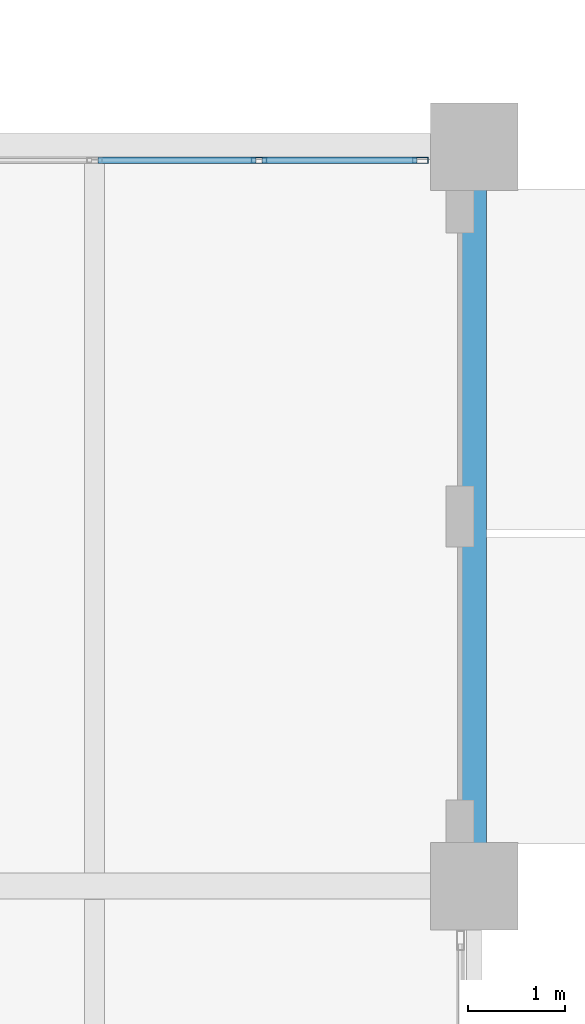
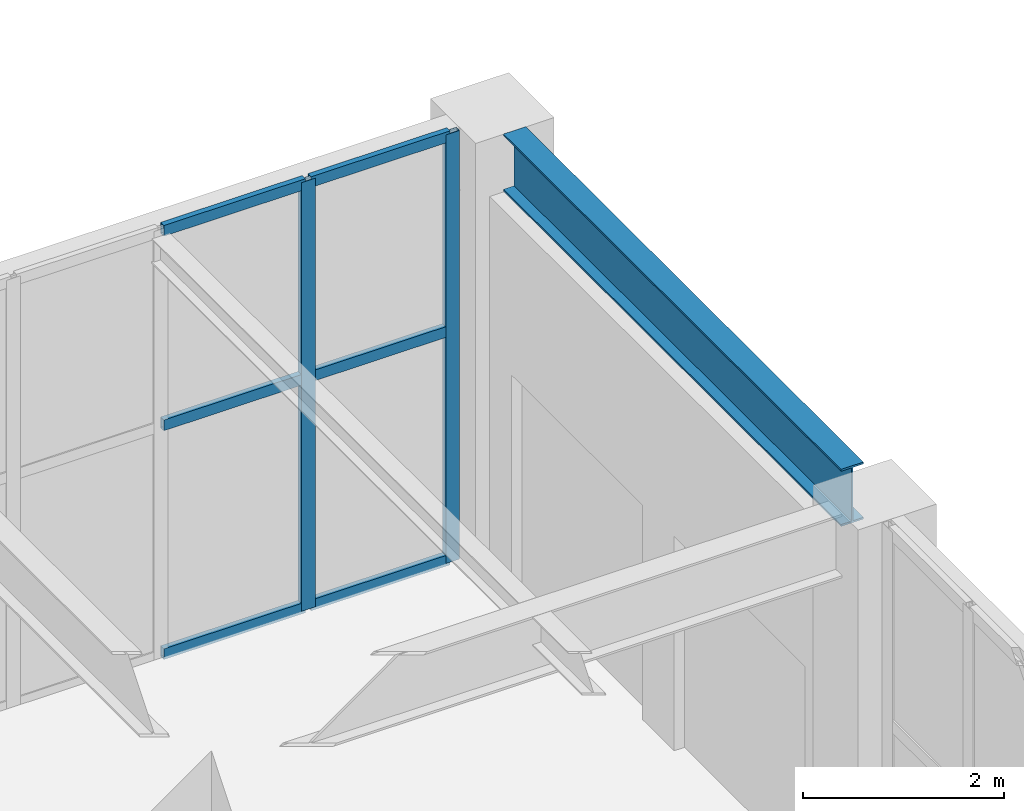
# One storey, part 92 of 139: 8 members, 1 beam, 1 element without a shape of its own.
"""IFC4 building model written with IfcOpenShell, lengths in metres."""

from ifc_helpers import new_model, si_unit, direction, frame, origin, origin_2d, place, context, subcontext, project, spatial, hollow_rectangle, i_section, extrude, material, layer, layer_set, material_profile, profile_set, type_object, element, aggregate, save


model = new_model("IFC4")

# Units and contexts
model_context = context("Model", 3, precision=1e-05, world=origin(), true_north=direction((0.0, 1.0)))
body_context = subcontext(model_context, "Body", "Model", "MODEL_VIEW")
ifc_project = project(units=[si_unit("LENGTHUNIT", "METRE"), si_unit("AREAUNIT", "SQUARE_METRE"), si_unit("VOLUMEUNIT", "CUBIC_METRE"), si_unit("PLANEANGLEUNIT", "RADIAN"), si_unit("MASSUNIT", "GRAM", prefix="KILO")], contexts=[model_context])

# Site, building, storey
site_placement = place(None, origin())
site = spatial("IfcSite", under=ifc_project, at=site_placement, CompositionType="ELEMENT")
building_placement = place(site_placement, origin())
building = spatial("IfcBuilding", under=site, at=building_placement, Name="Xicomal Pleat Aquarium", CompositionType="ELEMENT")
storey_placement = place(building_placement, origin())
storey = spatial("IfcBuildingStorey", under=building, at=storey_placement, Name="L01", CompositionType="ELEMENT", Elevation=0.0)

# Beam
ifc_material_1 = material(Name="Structural steel A992 Gr 50", Category="steel")
ifc_material_profile_1 = material_profile(ifc_material_1, i_section(OverallWidth=0.256103515625, OverallDepth=0.693115234375, WebThickness=0.014404296875, FlangeThickness=0.023681640625, at=origin_2d()), Name="IR 690x170")
ifc_profile_set_1 = profile_set([ifc_material_profile_1], Name="Structural steel A992 Gr 50")
beam_type = type_object("IfcBeamType", Name="BM-STL-IR690", PredefinedType="BEAM", material=ifc_profile_set_1)
beam_placement = place(storey_placement, frame((165.0, 30.844970703125, 4.853515625), z_axis=(0.0, 1.0, 0.0), x_axis=(-1.0, 0.0, 0.0)))
element("IfcBeam", 1, at=beam_placement, inside=storey, type_object=beam_type, Name="L01 framing beam FGY-L01-21-E-F", PredefinedType="BEAM", context=body_context, shape_type="SweptSolid", body=[
    extrude(i_section(OverallWidth=0.256103515625, OverallDepth=0.693115234375, WebThickness=0.014404296875, FlangeThickness=0.023681640625, at=origin_2d()), origin(), (0.0, 0.0, 1.0), 6.7099609375),
])

# Curtain wall, members
ifc_material_2 = material(Name="Bronze anodized aluminium 6063-T6", Category="aluminium")
ifc_layer = layer(ifc_material_2, 0.159912109375)
ifc_layer_set = layer_set([ifc_layer], Name="Bronze anodized aluminium 6063-T6")
curtain_wall_type = type_object("IfcCurtainWallType", Name="CW-SYS-01", PredefinedType="NOTDEFINED", material=ifc_layer_set)
curtain_wall_placement = place(storey_placement, origin())
curtain_wall = element("IfcCurtainWall", 2, at=curtain_wall_placement, inside=storey, type_object=curtain_wall_type, Name="L01 unitised curtain wall CW-L01-057", PredefinedType="NOTDEFINED")
ifc_material_3 = material(Name="Bronze anodized aluminium 6063-T6", Category="aluminium")
ifc_material_profile_2 = material_profile(ifc_material_3, hollow_rectangle(XDim=0.06494140625, YDim=0.159912109375, WallThickness=0.00390625, at=origin_2d()), Name="ALU MULL 65x160")
ifc_profile_set_2 = profile_set([ifc_material_profile_2], Name="Bronze anodized aluminium 6063-T6")
member_type_1 = type_object("IfcMemberType", Name="CWM-65x160", PredefinedType="MULLION", material=ifc_profile_set_2)
member_1_placement = place(storey_placement, frame((162.7900390625, 37.860107421875, 0.0), z_axis=(0.0, 0.0, 1.0), x_axis=(0.0, 1.0, 0.0)))
member_1 = element("IfcMember", 3, at=member_1_placement, type_object=member_type_1, Name="CW-01 mullion 4", PredefinedType="MULLION", context=body_context, shape_type="SweptSolid", body=[
    extrude(hollow_rectangle(XDim=0.06494140625, YDim=0.159912109375, WallThickness=0.00390625, at=origin_2d()), origin(), (0.0, 0.0, 1.0), 5.199951171875),
])
member_2_placement = place(storey_placement, frame((164.447509765625, 37.860107421875, 0.0), z_axis=(0.0, 0.0, 1.0), x_axis=(0.0, 1.0, 0.0)))
member_2 = element("IfcMember", 4, at=member_2_placement, type_object=member_type_1, Name="CW-01 mullion 5", PredefinedType="MULLION", context=body_context, shape_type="SweptSolid", body=[
    extrude(hollow_rectangle(XDim=0.06494140625, YDim=0.159912109375, WallThickness=0.00390625, at=origin_2d()), origin(), (0.0, 0.0, 1.0), 5.199951171875),
])
ifc_material_4 = material(Name="Bronze anodized aluminium 6063-T6", Category="aluminium")
ifc_material_profile_3 = material_profile(ifc_material_4, hollow_rectangle(XDim=0.06494140625, YDim=0.1298828125, WallThickness=0.00390625, at=origin_2d()), Name="ALU TRAN 65x130")
ifc_profile_set_3 = profile_set([ifc_material_profile_3], Name="Bronze anodized aluminium 6063-T6")
member_type_2 = type_object("IfcMemberType", Name="CWT-65x130", PredefinedType="USERDEFINED", material=ifc_profile_set_3)
member_3_placement = place(storey_placement, frame((161.132568359375, 37.860107421875, 0.032470703125), z_axis=(1.0, 0.0, 0.0), x_axis=(0.0, 1.0, 0.0)))
member_3 = element("IfcMember", 5, at=member_3_placement, type_object=member_type_2, Name="CW-01 transom 3.1", ObjectType="TRANSOM", PredefinedType="USERDEFINED", context=body_context, shape_type="SweptSolid", body=[
    extrude(hollow_rectangle(XDim=0.06494140625, YDim=0.1298828125, WallThickness=0.00390625, at=origin_2d()), origin(), (0.0, 0.0, 1.0), 1.625),
])
member_4_placement = place(storey_placement, frame((161.132568359375, 37.860107421875, 2.80810546875), z_axis=(1.0, 0.0, 0.0), x_axis=(0.0, 1.0, 0.0)))
member_4 = element("IfcMember", 6, at=member_4_placement, type_object=member_type_2, Name="CW-01 transom 3.2", ObjectType="TRANSOM", PredefinedType="USERDEFINED", context=body_context, shape_type="SweptSolid", body=[
    extrude(hollow_rectangle(XDim=0.06494140625, YDim=0.1298828125, WallThickness=0.00390625, at=origin_2d()), origin(), (0.0, 0.0, 1.0), 1.625),
])
member_5_placement = place(storey_placement, frame((161.132568359375, 37.860107421875, 5.16748046875), z_axis=(1.0, 0.0, 0.0), x_axis=(0.0, 1.0, 0.0)))
member_5 = element("IfcMember", 7, at=member_5_placement, type_object=member_type_2, Name="CW-01 transom 3.3", ObjectType="TRANSOM", PredefinedType="USERDEFINED", context=body_context, shape_type="SweptSolid", body=[
    extrude(hollow_rectangle(XDim=0.06494140625, YDim=0.1298828125, WallThickness=0.00390625, at=origin_2d()), origin(), (0.0, 0.0, 1.0), 1.625),
])
member_6_placement = place(storey_placement, frame((162.822509765625, 37.860107421875, 0.032470703125), z_axis=(1.0, 0.0, 0.0), x_axis=(0.0, 1.0, 0.0)))
member_6 = element("IfcMember", 8, at=member_6_placement, type_object=member_type_2, Name="CW-01 transom 4.1", ObjectType="TRANSOM", PredefinedType="USERDEFINED", context=body_context, shape_type="SweptSolid", body=[
    extrude(hollow_rectangle(XDim=0.06494140625, YDim=0.1298828125, WallThickness=0.00390625, at=origin_2d()), origin(), (0.0, 0.0, 1.0), 1.592529296875),
])
member_7_placement = place(storey_placement, frame((162.822509765625, 37.860107421875, 2.80810546875), z_axis=(1.0, 0.0, 0.0), x_axis=(0.0, 1.0, 0.0)))
member_7 = element("IfcMember", 9, at=member_7_placement, type_object=member_type_2, Name="CW-01 transom 4.2", ObjectType="TRANSOM", PredefinedType="USERDEFINED", context=body_context, shape_type="SweptSolid", body=[
    extrude(hollow_rectangle(XDim=0.06494140625, YDim=0.1298828125, WallThickness=0.00390625, at=origin_2d()), origin(), (0.0, 0.0, 1.0), 1.592529296875),
])
member_8_placement = place(storey_placement, frame((162.822509765625, 37.860107421875, 5.16748046875), z_axis=(1.0, 0.0, 0.0), x_axis=(0.0, 1.0, 0.0)))
member_8 = element("IfcMember", 10, at=member_8_placement, type_object=member_type_2, Name="CW-01 transom 4.3", ObjectType="TRANSOM", PredefinedType="USERDEFINED", context=body_context, shape_type="SweptSolid", body=[
    extrude(hollow_rectangle(XDim=0.06494140625, YDim=0.1298828125, WallThickness=0.00390625, at=origin_2d()), origin(), (0.0, 0.0, 1.0), 1.592529296875),
])
aggregate(curtain_wall, [member_1, member_2, member_3, member_4, member_5, member_6, member_7, member_8])

save(model, "model.ifc")
